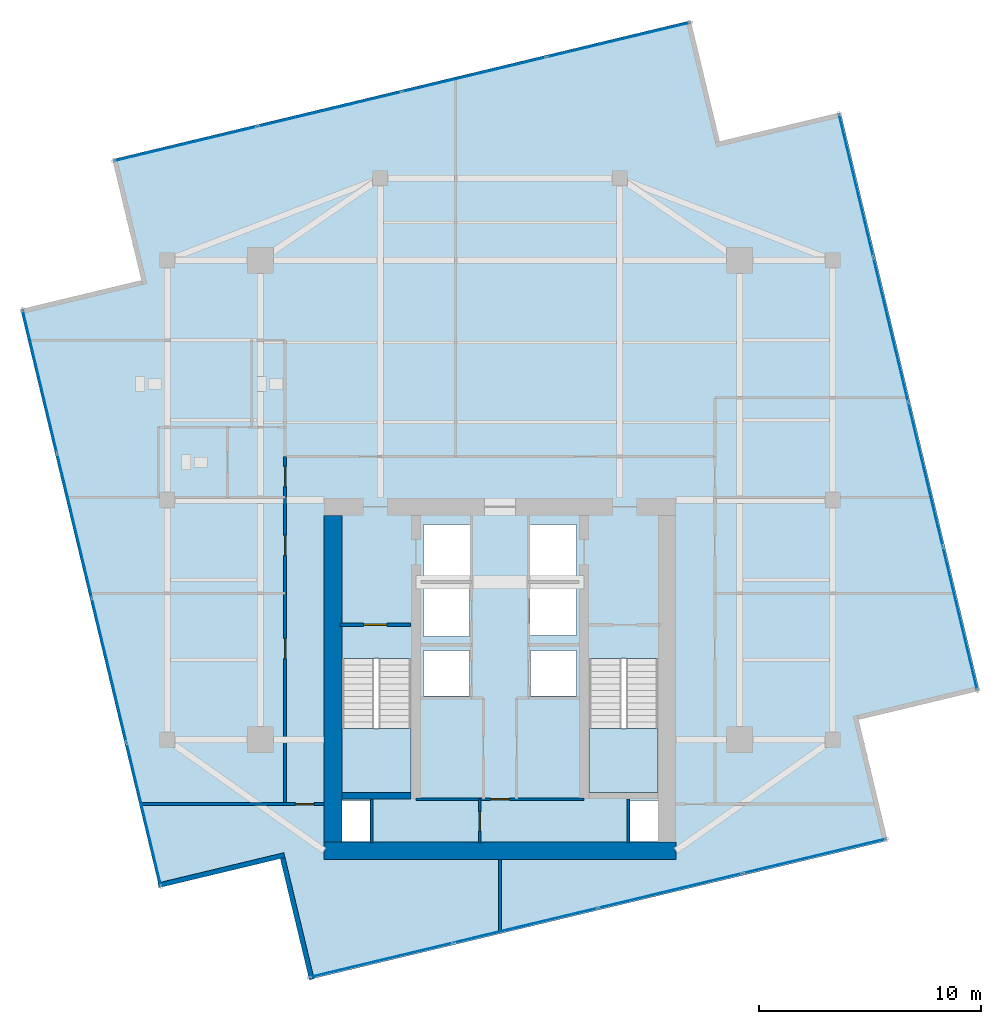
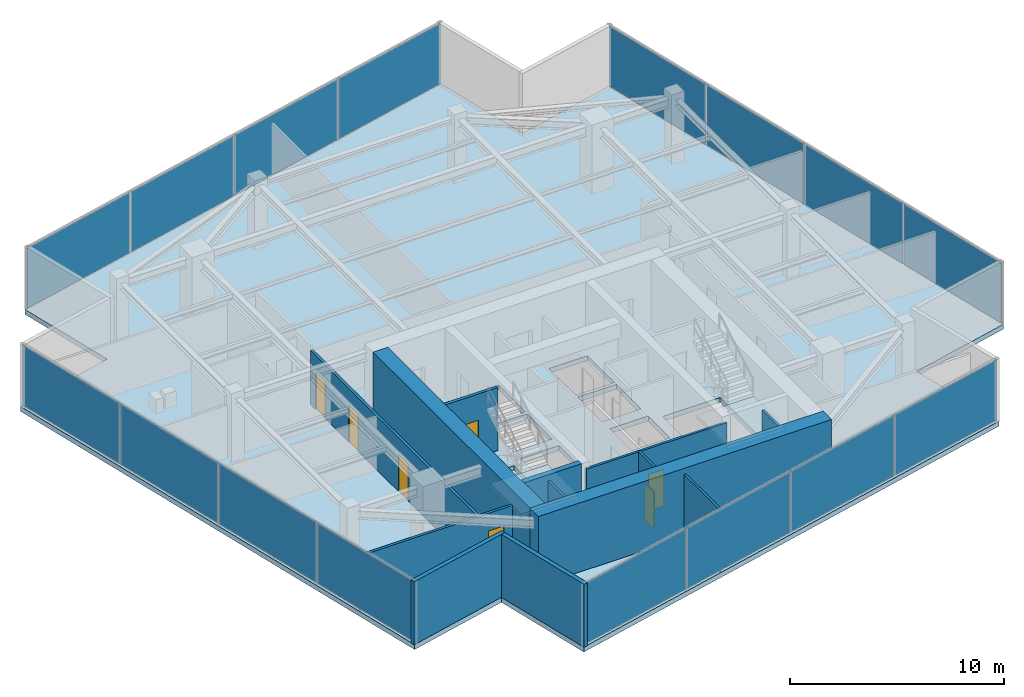
# One storey, part 18 of 22: 16 plates, 13 walls, 7 doors, 3 slabs, 7 openings, 6 elements without a shape of their own.
"""IFC4 building model written with IfcOpenShell, lengths in metres."""

from ifc_helpers import new_model, si_unit, direction, frame, frame_2d, origin, origin_2d, place, context, subcontext, project, spatial, polyline, rectangle, outline, extrude, source, transform, mapped, material, layer, layer_set, type_object, type_shapes, element, fill, aggregate, save


model = new_model("IFC4")

# Units and contexts
model_context = context("Model", 3, precision=1e-05, world=origin(), true_north=direction((0.0, 1.0)))
body_context = subcontext(model_context, "Body", "Model", "MODEL_VIEW")
ifc_project = project(units=[si_unit("LENGTHUNIT", "METRE"), si_unit("AREAUNIT", "SQUARE_METRE"), si_unit("VOLUMEUNIT", "CUBIC_METRE"), si_unit("PLANEANGLEUNIT", "RADIAN"), si_unit("MASSUNIT", "GRAM", prefix="KILO")], contexts=[model_context])

# Site, building, storey
site_placement = place(None, origin())
site = spatial("IfcSite", under=ifc_project, at=site_placement, CompositionType="ELEMENT")
building_placement = place(site_placement, origin())
building = spatial("IfcBuilding", under=site, at=building_placement, Name="Krantzveldt Concourse Tower", CompositionType="ELEMENT")
storey_placement = place(building_placement, frame((0.0, 0.0, 359.300048828125)))
storey = spatial("IfcBuildingStorey", under=building, at=storey_placement, Name="L88", CompositionType="ELEMENT", Elevation=359.300048828125)

# Stair, slab
ifc_material_1 = material(Name="Precast concrete C40/50", Category="concrete")
stair_type = type_object("IfcStairType", Name="STR-CORE-DOGLEG", PredefinedType="HALF_TURN_STAIR", material=ifc_material_1)
stair_1_placement = place(storey_placement, origin())
stair_1 = element("IfcStair", 1, at=stair_1_placement, inside=storey, type_object=stair_type, Name="L88 Protected Escape Stair ST-1", PredefinedType="HALF_TURN_STAIR")
ifc_layer_1 = layer(ifc_material_1, 0.199951171875, Name="Precast concrete C40/50", Category="concrete")
ifc_layer_set_1 = layer_set([ifc_layer_1], Name="Precast concrete C40/50 (SL-LANDING-200)")
slab_type_1 = type_object("IfcSlabType", Name="SL-LANDING-200", PredefinedType="LANDING", material=ifc_layer_set_1)
slab_1_placement = place(storey_placement, frame((0.0, 0.0, 1.77490234375)))
slab_1 = element("IfcSlab", 2, at=slab_1_placement, type_object=slab_type_1, Name="ST-1 landing 1", PredefinedType="LANDING", context=body_context, shape_type="SweptSolid", body=[
    extrude(outline(polyline([(28.8798828125, 16.4150390625), (28.8798828125, 13.52001953125), (31.97998046875, 13.52001953125), (31.97998046875, 16.4150390625), (28.8798828125, 16.4150390625)])), origin(), (0.0, 0.0, 1.0), 0.199951171875),
])
aggregate(stair_1, [slab_1])

stair_2_placement = place(storey_placement, origin())
stair_2 = element("IfcStair", 3, at=stair_2_placement, inside=storey, type_object=stair_type, Name="L88 Protected Escape Stair ST-2", PredefinedType="HALF_TURN_STAIR")
slab_2_placement = place(storey_placement, frame((0.0, 0.0, 1.77490234375)))
slab_2 = element("IfcSlab", 4, at=slab_2_placement, type_object=slab_type_1, Name="ST-2 landing 1", PredefinedType="LANDING", context=body_context, shape_type="SweptSolid", body=[
    extrude(outline(polyline([(40.02001953125, 16.4150390625), (40.02001953125, 13.52001953125), (43.1201171875, 13.52001953125), (43.1201171875, 16.4150390625), (40.02001953125, 16.4150390625)])), origin(), (0.0, 0.0, 1.0), 0.199951171875),
])
aggregate(stair_2, [slab_2])

# Slab
ifc_material_2 = material(Name="Concrete C40/50", Category="concrete")
ifc_layer_2 = layer(ifc_material_2, 0.280029296875, Name="Concrete C40/50", Category="concrete")
ifc_layer_set_2 = layer_set([ifc_layer_2], Name="Concrete C40/50 (SL-SL-TWR280)")
slab_type_2 = type_object("IfcSlabType", Name="SL-SL-TWR280", PredefinedType="FLOOR", material=ifc_layer_set_2)
slab_3_placement = place(storey_placement, frame((0.0, 0.0, -0.280029296875)))
element("IfcSlab", 5, at=slab_3_placement, inside=storey, type_object=slab_type_2, Name="SL-L88-MAIN", PredefinedType="FLOOR", context=body_context, shape_type="SweptSolid", body=[
    extrude(outline(polyline([(45.901611328125, 42.85791015625), (44.59423828125, 48.30322265625), (18.53466796875, 42.046875), (19.842041015625, 36.6015625), (14.396728515625, 35.294189453125), (20.653076171875, 9.23486328125), (26.098388671875, 10.5419921875), (27.40576171875, 5.0966796875), (53.46533203125, 11.35302734375), (52.157958984375, 16.79833984375), (57.603271484375, 18.105712890625), (51.346923828125, 44.165283203125), (45.901611328125, 42.85791015625)]), holes=[polyline([(28.8798828125, 19.547607421875), (28.8798828125, 13.52001953125), (31.97998046875, 13.52001953125), (31.97998046875, 19.547607421875), (28.8798828125, 19.547607421875)]), polyline([(40.02001953125, 19.547607421875), (40.02001953125, 13.52001953125), (43.1201171875, 13.52001953125), (43.1201171875, 19.547607421875), (40.02001953125, 19.547607421875)]), polyline([(32.550048828125, 23.10009765625), (34.64990234375, 23.10009765625), (34.64990234375, 25.60009765625), (32.550048828125, 25.60009765625), (32.550048828125, 23.10009765625)]), polyline([(37.35009765625, 23.10009765625), (39.449951171875, 23.10009765625), (39.449951171875, 25.60009765625), (37.35009765625, 25.60009765625), (37.35009765625, 23.10009765625)]), polyline([(37.35009765625, 20.60009765625), (39.449951171875, 20.60009765625), (39.449951171875, 22.89990234375), (37.35009765625, 22.89990234375), (37.35009765625, 20.60009765625)]), polyline([(32.550048828125, 20.550048828125), (34.6201171875, 20.550048828125), (34.6201171875, 22.89990234375), (32.550048828125, 22.89990234375), (32.550048828125, 20.550048828125)]), polyline([(32.550048828125, 17.8798828125), (34.6201171875, 17.8798828125), (34.6201171875, 19.919921875), (32.550048828125, 19.919921875), (32.550048828125, 17.8798828125)]), polyline([(37.3798828125, 17.8798828125), (39.449951171875, 17.8798828125), (39.449951171875, 19.919921875), (37.3798828125, 19.919921875), (37.3798828125, 17.8798828125)]), polyline([(28.8798828125, 11.320068359375), (30.139892578125, 11.320068359375), (30.139892578125, 13.159912109375), (28.8798828125, 13.159912109375), (28.8798828125, 11.320068359375)]), polyline([(41.860107421875, 11.320068359375), (43.1201171875, 11.320068359375), (43.1201171875, 13.159912109375), (41.860107421875, 13.159912109375), (41.860107421875, 11.320068359375)])]), origin(), (0.0, 0.0, 1.0), 0.280029296875),
])

# Curtain wall, plates
ifc_material_3 = material(Name="Anodised aluminium 6063-T6", Category="aluminium")
curtain_wall_type = type_object("IfcCurtainWallType", Name="CW4", PredefinedType="USERDEFINED", material=ifc_material_3)
curtain_wall_1_placement = place(storey_placement, origin())
curtain_wall_1 = element("IfcCurtainWall", 6, at=curtain_wall_1_placement, inside=storey, type_object=curtain_wall_type, Name="CW-L88-F01", ObjectType="UNITISED CURTAIN WALL", PredefinedType="USERDEFINED")
ifc_material_4 = material(Name="Bronze-tinted laminated low-E IGU glass", Category="glass")
ifc_layer_3 = layer(ifc_material_4, 0.031982421875, Name="Bronze-tinted laminated low-E IGU glass", Category="glass")
ifc_layer_set_3 = layer_set([ifc_layer_3], Name="Bronze-tinted laminated low-E IGU glass (CW-GLZ-32)")
plate_type = type_object("IfcPlateType", Name="CW-GLZ-32", PredefinedType="CURTAIN_PANEL", material=ifc_layer_set_3)
shared_shape_1 = source(origin(), body_context, "Body", "SweptSolid", [
    extrude(rectangle(XDim=6.594970703125, YDim=0.031982421875, at=origin_2d()), origin(), (0.0, 0.0, 1.0), 3.4599609375),
])
plate_1_placement = place(storey_placement, frame((41.3408203125, 47.429443359375, 0.070068359375), z_axis=(0.0, 0.0, 1.0), x_axis=(-0.972369896884, -0.233445461796, 0.0)))
plate_1 = element("IfcPlate", 7, at=plate_1_placement, type_object=plate_type, Name="CW-Z56 panel 1.1", PredefinedType="CURTAIN_PANEL", context=body_context, shape_type="MappedRepresentation", body=[
    mapped(shared_shape_1, transform((0.0, 0.0, 0.0), x_axis=(1.0, 0.0, 0.0), y_axis=(0.0, 1.0, 0.0), z_axis=(0.0, 0.0, 1.0), scale=1.0)),
])
plate_2_placement = place(storey_placement, frame((21.830322265625, 42.745361328125, 0.070068359375), z_axis=(0.0, 0.0, 1.0), x_axis=(-0.972369896884, -0.233445461796, 0.0)))
plate_2 = element("IfcPlate", 8, at=plate_2_placement, type_object=plate_type, Name="CW-Z56 panel 4.1", PredefinedType="CURTAIN_PANEL", context=body_context, shape_type="MappedRepresentation", body=[
    mapped(shared_shape_1, transform((0.0, 0.0, 0.0), x_axis=(1.0, 0.0, 0.0), y_axis=(0.0, 1.0, 0.0), z_axis=(0.0, 0.0, 1.0), scale=1.0)),
])

curtain_wall_2_placement = place(storey_placement, origin())
curtain_wall_2 = element("IfcCurtainWall", 9, at=curtain_wall_2_placement, inside=storey, type_object=curtain_wall_type, Name="CW-L88-F04", ObjectType="UNITISED CURTAIN WALL", PredefinedType="USERDEFINED")
plate_3_placement = place(storey_placement, frame((15.2705078125, 32.040771484375, 0.070068359375), z_axis=(0.0, 0.0, 1.0), x_axis=(0.233445461796, -0.972369896884, 0.0)))
plate_3 = element("IfcPlate", 10, at=plate_3_placement, type_object=plate_type, Name="CW-Z56 panel 1.1", PredefinedType="CURTAIN_PANEL", context=body_context, shape_type="MappedRepresentation", body=[
    mapped(shared_shape_1, transform((0.0, 0.0, 0.0), x_axis=(1.0, 0.0, 0.0), y_axis=(0.0, 1.0, 0.0), z_axis=(0.0, 0.0, 1.0), scale=1.0)),
])
plate_4_placement = place(storey_placement, frame((19.95458984375, 12.5302734375, 0.070068359375), z_axis=(0.0, 0.0, 1.0), x_axis=(0.233445461796, -0.972369896884, 0.0)))
plate_4 = element("IfcPlate", 11, at=plate_4_placement, type_object=plate_type, Name="CW-Z56 panel 4.1", PredefinedType="CURTAIN_PANEL", context=body_context, shape_type="MappedRepresentation", body=[
    mapped(shared_shape_1, transform((0.0, 0.0, 0.0), x_axis=(1.0, 0.0, 0.0), y_axis=(0.0, 1.0, 0.0), z_axis=(0.0, 0.0, 1.0), scale=1.0)),
])

curtain_wall_3_placement = place(storey_placement, origin())
curtain_wall_3 = element("IfcCurtainWall", 12, at=curtain_wall_3_placement, inside=storey, type_object=curtain_wall_type, Name="CW-L88-F07", ObjectType="UNITISED CURTAIN WALL", PredefinedType="USERDEFINED")
plate_5_placement = place(storey_placement, frame((30.6591796875, 5.970458984375, 0.070068359375), z_axis=(0.0, 0.0, 1.0), x_axis=(0.972369896884, 0.233445461796, 0.0)))
plate_5 = element("IfcPlate", 13, at=plate_5_placement, type_object=plate_type, Name="CW-Z56 panel 1.1", PredefinedType="CURTAIN_PANEL", context=body_context, shape_type="MappedRepresentation", body=[
    mapped(shared_shape_1, transform((0.0, 0.0, 0.0), x_axis=(1.0, 0.0, 0.0), y_axis=(0.0, 1.0, 0.0), z_axis=(0.0, 0.0, 1.0), scale=1.0)),
])
plate_6_placement = place(storey_placement, frame((50.169677734375, 10.654541015625, 0.070068359375), z_axis=(0.0, 0.0, 1.0), x_axis=(0.972369896884, 0.233445461796, 0.0)))
plate_6 = element("IfcPlate", 14, at=plate_6_placement, type_object=plate_type, Name="CW-Z56 panel 4.1", PredefinedType="CURTAIN_PANEL", context=body_context, shape_type="MappedRepresentation", body=[
    mapped(shared_shape_1, transform((0.0, 0.0, 0.0), x_axis=(1.0, 0.0, 0.0), y_axis=(0.0, 1.0, 0.0), z_axis=(0.0, 0.0, 1.0), scale=1.0)),
])

curtain_wall_4_placement = place(storey_placement, origin())
curtain_wall_4 = element("IfcCurtainWall", 15, at=curtain_wall_4_placement, inside=storey, type_object=curtain_wall_type, Name="CW-L88-F10", ObjectType="UNITISED CURTAIN WALL", PredefinedType="USERDEFINED")
plate_7_placement = place(storey_placement, frame((56.7294921875, 21.359130859375, 0.070068359375), z_axis=(0.0, 0.0, 1.0), x_axis=(-0.233445461796, 0.972369896884, 0.0)))
plate_7 = element("IfcPlate", 16, at=plate_7_placement, type_object=plate_type, Name="CW-Z56 panel 1.1", PredefinedType="CURTAIN_PANEL", context=body_context, shape_type="MappedRepresentation", body=[
    mapped(shared_shape_1, transform((0.0, 0.0, 0.0), x_axis=(1.0, 0.0, 0.0), y_axis=(0.0, 1.0, 0.0), z_axis=(0.0, 0.0, 1.0), scale=1.0)),
])
plate_8_placement = place(storey_placement, frame((52.04541015625, 40.869873046875, 0.070068359375), z_axis=(0.0, 0.0, 1.0), x_axis=(-0.233445461796, 0.972369896884, 0.0)))
plate_8 = element("IfcPlate", 17, at=plate_8_placement, type_object=plate_type, Name="CW-Z56 panel 4.1", PredefinedType="CURTAIN_PANEL", context=body_context, shape_type="MappedRepresentation", body=[
    mapped(shared_shape_1, transform((0.0, 0.0, 0.0), x_axis=(1.0, 0.0, 0.0), y_axis=(0.0, 1.0, 0.0), z_axis=(0.0, 0.0, 1.0), scale=1.0)),
])

# Plate
shared_shape_2 = source(origin(), body_context, "Body", "SweptSolid", [
    extrude(rectangle(XDim=6.6298828125, YDim=0.031982421875, at=origin_2d()), origin(), (0.0, 0.0, 1.0), 3.4599609375),
])
type_shapes(plate_type, [shared_shape_1, shared_shape_2])
plate_9_placement = place(storey_placement, frame((34.843017578125, 45.86962890625, 0.070068359375), z_axis=(0.0, 0.0, 1.0), x_axis=(-0.972369896884, -0.233445461796, 0.0)))
plate_9 = element("IfcPlate", 18, at=plate_9_placement, type_object=plate_type, Name="CW-Z56 panel 2.1", PredefinedType="CURTAIN_PANEL", context=body_context, shape_type="MappedRepresentation", body=[
    mapped(shared_shape_2, transform((0.0, 0.0, 0.0), x_axis=(1.0, 0.0, 0.0), y_axis=(0.0, 1.0, 0.0), z_axis=(0.0, 0.0, 1.0), scale=1.0)),
])

plate_10_placement = place(storey_placement, frame((28.328125, 44.305419921875, 0.070068359375), z_axis=(0.0, 0.0, 1.0), x_axis=(-0.972369896884, -0.233445461796, 0.0)))
plate_10 = element("IfcPlate", 19, at=plate_10_placement, type_object=plate_type, Name="CW-Z56 panel 3.1", PredefinedType="CURTAIN_PANEL", context=body_context, shape_type="MappedRepresentation", body=[
    mapped(shared_shape_2, transform((0.0, 0.0, 0.0), x_axis=(1.0, 0.0, 0.0), y_axis=(0.0, 1.0, 0.0), z_axis=(0.0, 0.0, 1.0), scale=1.0)),
])

aggregate(curtain_wall_1, [plate_1, plate_9, plate_10, plate_2])

plate_11_placement = place(storey_placement, frame((16.830322265625, 25.54296875, 0.070068359375), z_axis=(0.0, 0.0, 1.0), x_axis=(0.233445461796, -0.972369896884, 0.0)))
plate_11 = element("IfcPlate", 20, at=plate_11_placement, type_object=plate_type, Name="CW-Z56 panel 2.1", PredefinedType="CURTAIN_PANEL", context=body_context, shape_type="MappedRepresentation", body=[
    mapped(shared_shape_2, transform((0.0, 0.0, 0.0), x_axis=(1.0, 0.0, 0.0), y_axis=(0.0, 1.0, 0.0), z_axis=(0.0, 0.0, 1.0), scale=1.0)),
])

plate_12_placement = place(storey_placement, frame((18.39453125, 19.028076171875, 0.070068359375), z_axis=(0.0, 0.0, 1.0), x_axis=(0.233445461796, -0.972369896884, 0.0)))
plate_12 = element("IfcPlate", 21, at=plate_12_placement, type_object=plate_type, Name="CW-Z56 panel 3.1", PredefinedType="CURTAIN_PANEL", context=body_context, shape_type="MappedRepresentation", body=[
    mapped(shared_shape_2, transform((0.0, 0.0, 0.0), x_axis=(1.0, 0.0, 0.0), y_axis=(0.0, 1.0, 0.0), z_axis=(0.0, 0.0, 1.0), scale=1.0)),
])

aggregate(curtain_wall_2, [plate_3, plate_11, plate_12, plate_4])

plate_13_placement = place(storey_placement, frame((37.156982421875, 7.530517578125, 0.070068359375), z_axis=(0.0, 0.0, 1.0), x_axis=(0.972369896884, 0.233445461796, 0.0)))
plate_13 = element("IfcPlate", 22, at=plate_13_placement, type_object=plate_type, Name="CW-Z56 panel 2.1", PredefinedType="CURTAIN_PANEL", context=body_context, shape_type="MappedRepresentation", body=[
    mapped(shared_shape_2, transform((0.0, 0.0, 0.0), x_axis=(1.0, 0.0, 0.0), y_axis=(0.0, 1.0, 0.0), z_axis=(0.0, 0.0, 1.0), scale=1.0)),
])

plate_14_placement = place(storey_placement, frame((43.671875, 9.094482421875, 0.070068359375), z_axis=(0.0, 0.0, 1.0), x_axis=(0.972369896884, 0.233445461796, 0.0)))
plate_14 = element("IfcPlate", 23, at=plate_14_placement, type_object=plate_type, Name="CW-Z56 panel 3.1", PredefinedType="CURTAIN_PANEL", context=body_context, shape_type="MappedRepresentation", body=[
    mapped(shared_shape_2, transform((0.0, 0.0, 0.0), x_axis=(1.0, 0.0, 0.0), y_axis=(0.0, 1.0, 0.0), z_axis=(0.0, 0.0, 1.0), scale=1.0)),
])

aggregate(curtain_wall_3, [plate_5, plate_13, plate_14, plate_6])

plate_15_placement = place(storey_placement, frame((55.169677734375, 27.85693359375, 0.070068359375), z_axis=(0.0, 0.0, 1.0), x_axis=(-0.233445461796, 0.972369896884, 0.0)))
plate_15 = element("IfcPlate", 24, at=plate_15_placement, type_object=plate_type, Name="CW-Z56 panel 2.1", PredefinedType="CURTAIN_PANEL", context=body_context, shape_type="MappedRepresentation", body=[
    mapped(shared_shape_2, transform((0.0, 0.0, 0.0), x_axis=(1.0, 0.0, 0.0), y_axis=(0.0, 1.0, 0.0), z_axis=(0.0, 0.0, 1.0), scale=1.0)),
])

plate_16_placement = place(storey_placement, frame((53.60546875, 34.371826171875, 0.070068359375), z_axis=(0.0, 0.0, 1.0), x_axis=(-0.233445461796, 0.972369896884, 0.0)))
plate_16 = element("IfcPlate", 25, at=plate_16_placement, type_object=plate_type, Name="CW-Z56 panel 3.1", PredefinedType="CURTAIN_PANEL", context=body_context, shape_type="MappedRepresentation", body=[
    mapped(shared_shape_2, transform((0.0, 0.0, 0.0), x_axis=(1.0, 0.0, 0.0), y_axis=(0.0, 1.0, 0.0), z_axis=(0.0, 0.0, 1.0), scale=1.0)),
])

aggregate(curtain_wall_4, [plate_7, plate_15, plate_16, plate_8])

# Walls
ifc_layer_4 = layer(ifc_material_3, 0.219970703125, Name="Anodised aluminium 6063-T6", Category="aluminium")
ifc_layer_set_4 = layer_set([ifc_layer_4], Name="Anodised aluminium 6063-T6 (WL-EXT-NOTCH220)")
wall_type_1 = type_object("IfcWallType", Name="WL-EXT-NOTCH220", PredefinedType="ELEMENTEDWALL", material=ifc_layer_set_4)
wall_1_placement = place(storey_placement, frame((20.603271484375, 9.3359375, 0.0), z_axis=(0.0, 0.0, 1.0), x_axis=(0.972367961768, 0.233453521986, 0.0)))
element("IfcWall", 26, at=wall_1_placement, inside=storey, type_object=wall_type_1, Name="EW-L88-NCH05", PredefinedType="ELEMENTEDWALL", context=body_context, shape_type="SweptSolid", body=[
    extrude(rectangle(XDim=5.844970703125, YDim=0.219970703125, at=frame_2d((2.92236328125, 0.0))), origin(), (0.0, 0.0, 1.0), 3.599853515625),
])
wall_2_placement = place(storey_placement, frame((26.205322265625, 10.56787109375, 0.0), z_axis=(0.0, 0.0, 1.0), x_axis=(0.233456668573, -0.972367206306, 0.0)))
element("IfcWall", 27, at=wall_2_placement, inside=storey, type_object=wall_type_1, Name="EW-L88-NCH06", PredefinedType="ELEMENTEDWALL", context=body_context, shape_type="SweptSolid", body=[
    extrude(rectangle(XDim=5.625244140625, YDim=0.219970703125, at=frame_2d((2.8125, 0.0))), origin(), (0.0, 0.0, 1.0), 3.599853515625),
])

# Wall, opening, door
ifc_material_5 = material(Name="Fire-rated gypsum plasterboard on steel stud", Category="steel")
ifc_layer_5 = layer(ifc_material_5, 0.1201171875, Name="Fire-rated gypsum plasterboard on steel stud", Category="steel")
ifc_layer_set_5 = layer_set([ifc_layer_5], Name="Fire-rated gypsum plasterboard on steel stud (WL-PART-120)")
wall_type_2 = type_object("IfcWallType", Name="WL-PART-120", PredefinedType="PARTITIONING", material=ifc_layer_set_5)
wall_3_placement = place(storey_placement, frame((32.2099609375, 13.219970703125, 0.0), z_axis=(0.0, 0.0, 1.0), x_axis=(1.0, 0.0, 0.0)))
wall_3 = element("IfcWall", 28, at=wall_3_placement, inside=storey, type_object=wall_type_2, Name="WP-L88-CS2H", PredefinedType="PARTITIONING", context=body_context, shape_type="SweptSolid", body=[
    extrude(rectangle(XDim=7.580078125, YDim=0.1201171875, at=frame_2d((3.7900390625, 0.0))), origin(), (0.0, 0.0, 1.0), 3.599853515625),
])
opening_1_placement = place(wall_3_placement, frame((3.364990234375, 0.0, 0.0)))
opening_1 = element("IfcOpeningElement", 29, at=opening_1_placement, cuts=wall_3, Name="Opening D-IN085", PredefinedType="OPENING", context=body_context, shape_type="SweptSolid", body=[
    extrude(rectangle(XDim=0.85009765625, YDim=2.10009765625, at=frame_2d((0.425048828125, 1.050048828125))), frame((0.0, 0.070068359375, 0.0), z_axis=(0.0, -1.0, 0.0), x_axis=(1.0, 0.0, 0.0)), (0.0, 0.0, 1.0), 0.14013671875),
])
ifc_material_6 = material(Name="Hardwood timber", Category="wood")
door_type_1 = type_object("IfcDoorType", Name="DR-INT-850", OperationType="SINGLE_SWING_LEFT", PredefinedType="DOOR", material=ifc_material_6)
door_1_placement = place(opening_1_placement, origin())
door_1 = element("IfcDoor", 30, at=door_1_placement, inside=storey, type_object=door_type_1, Name="DR-L88-LLBS", OperationType="SINGLE_SWING_RIGHT", OverallHeight=2.10009765625, OverallWidth=0.85009765625, PredefinedType="DOOR", context=body_context, shape_type="SweptSolid", body=[
    extrude(rectangle(XDim=0.85009765625, YDim=2.10009765625, at=frame_2d((0.425048828125, 1.050048828125))), frame((0.0, 0.02490234375, 0.0), z_axis=(0.0, -1.0, 0.0), x_axis=(1.0, 0.0, 0.0)), (0.0, 0.0, 1.0), 0.050048828125),
])
fill(opening_1, door_1)

wall_4_placement = place(storey_placement, frame((35.080078125, 11.25, 0.0), z_axis=(0.0, 0.0, 1.0), x_axis=(0.0, 1.0, 0.0)))
wall_4 = element("IfcWall", 31, at=wall_4_placement, inside=storey, type_object=wall_type_2, Name="WP-L88-CSA-V", PredefinedType="PARTITIONING", context=body_context, shape_type="SweptSolid", body=[
    extrude(rectangle(XDim=1.969970703125, YDim=0.1201171875, at=frame_2d((0.98486328125, 0.0))), origin(), (0.0, 0.0, 1.0), 3.599853515625),
])
opening_2_placement = place(wall_4_placement, frame((0.544921875, 0.0, 0.0)))
opening_2 = element("IfcOpeningElement", 32, at=opening_2_placement, cuts=wall_4, Name="Opening D-IN085", PredefinedType="OPENING", context=body_context, shape_type="SweptSolid", body=[
    extrude(rectangle(XDim=0.85009765625, YDim=2.10009765625, at=frame_2d((0.425048828125, 1.050048828125))), frame((0.0, 0.070068359375, 0.0), z_axis=(0.0, -1.0, 0.0), x_axis=(1.0, 0.0, 0.0)), (0.0, 0.0, 1.0), 0.14013671875),
])
door_2_placement = place(opening_2_placement, origin())
door_2 = element("IfcDoor", 33, at=door_2_placement, inside=storey, type_object=door_type_1, Name="DR-L88-CSA1", OperationType="SINGLE_SWING_LEFT", OverallHeight=2.10009765625, OverallWidth=0.85009765625, PredefinedType="DOOR", context=body_context, shape_type="SweptSolid", body=[
    extrude(rectangle(XDim=0.85009765625, YDim=2.10009765625, at=frame_2d((0.425048828125, 1.050048828125))), frame((0.0, 0.02490234375, 0.0), z_axis=(0.0, -1.0, 0.0), x_axis=(1.0, 0.0, 0.0)), (0.0, 0.0, 1.0), 0.050048828125),
])
fill(opening_2, door_2)

# Wall
wall_5_placement = place(storey_placement, frame((36.0, 7.252685546875, 0.0), z_axis=(0.0, 0.0, 1.0), x_axis=(0.0, 1.0, 0.0)))
element("IfcWall", 34, at=wall_5_placement, inside=storey, type_object=wall_type_2, Name="WP-L88-SSMD", PredefinedType="PARTITIONING", context=body_context, shape_type="SweptSolid", body=[
    extrude(rectangle(XDim=3.247314453125, YDim=0.1201171875, at=frame_2d((1.62353515625, 0.0))), origin(), (0.0, 0.0, 1.0), 3.599853515625),
])

# Wall, openings, doors
ifc_layer_6 = layer(ifc_material_5, 0.139892578125, Name="Fire-rated gypsum plasterboard on steel stud", Category="steel")
ifc_layer_set_6 = layer_set([ifc_layer_6], Name="Fire-rated gypsum plasterboard on steel stud (WL-PART-140)")
wall_type_3 = type_object("IfcWallType", Name="WL-PART-140", PredefinedType="PARTITIONING", material=ifc_layer_set_6)
wall_6_placement = place(storey_placement, frame((26.320068359375, 13.0, 0.0), z_axis=(0.0, 0.0, 1.0), x_axis=(0.0, 1.0, 0.0)))
wall_6 = element("IfcWall", 35, at=wall_6_placement, inside=storey, type_object=wall_type_3, Name="WP-L88-CWEST", PredefinedType="PARTITIONING", context=body_context, shape_type="SweptSolid", body=[
    extrude(rectangle(XDim=15.659912109375, YDim=0.139892578125, at=frame_2d((7.830078125, 0.0))), origin(), (0.0, 0.0, 1.0), 3.06005859375),
])
opening_3_placement = place(wall_6_placement, frame((14.300048828125, 0.0, 0.0)))
opening_3 = element("IfcOpeningElement", 36, at=opening_3_placement, cuts=wall_6, Name="Opening D-IN090", PredefinedType="OPENING", context=body_context, shape_type="SweptSolid", body=[
    extrude(rectangle(XDim=0.89990234375, YDim=2.10009765625, at=frame_2d((0.449951171875, 1.050048828125))), frame((0.0, 0.080078125, 0.0), z_axis=(0.0, -1.0, 0.0), x_axis=(1.0, 0.0, 0.0)), (0.0, 0.0, 1.0), 0.159912109375),
])
opening_4_placement = place(wall_6_placement, frame((6.550048828125, 0.0, 0.0)))
opening_4 = element("IfcOpeningElement", 37, at=opening_4_placement, cuts=wall_6, Name="Opening D-IN090", PredefinedType="OPENING", context=body_context, shape_type="SweptSolid", body=[
    extrude(rectangle(XDim=0.89990234375, YDim=2.10009765625, at=frame_2d((0.449951171875, 1.050048828125))), frame((0.0, 0.080078125, 0.0), z_axis=(0.0, -1.0, 0.0), x_axis=(1.0, 0.0, 0.0)), (0.0, 0.0, 1.0), 0.159912109375),
])
opening_5_placement = place(wall_6_placement, frame((11.2099609375, 0.0, 0.0)))
opening_5 = element("IfcOpeningElement", 38, at=opening_5_placement, cuts=wall_6, Name="Opening D-IN090", PredefinedType="OPENING", context=body_context, shape_type="SweptSolid", body=[
    extrude(rectangle(XDim=0.89990234375, YDim=2.10009765625, at=frame_2d((0.449951171875, 1.050048828125))), frame((0.0, 0.080078125, 0.0), z_axis=(0.0, -1.0, 0.0), x_axis=(1.0, 0.0, 0.0)), (0.0, 0.0, 1.0), 0.159912109375),
])
door_type_2 = type_object("IfcDoorType", Name="DR-INT-900", OperationType="SINGLE_SWING_LEFT", PredefinedType="DOOR", material=ifc_material_6)
door_3_placement = place(opening_3_placement, origin())
door_3 = element("IfcDoor", 39, at=door_3_placement, inside=storey, type_object=door_type_2, Name="DR-L88-WCV", OperationType="SINGLE_SWING_LEFT", OverallHeight=2.10009765625, OverallWidth=0.89990234375, PredefinedType="DOOR", context=body_context, shape_type="SweptSolid", body=[
    extrude(rectangle(XDim=0.89990234375, YDim=2.10009765625, at=frame_2d((0.449951171875, 1.050048828125))), frame((0.0, 0.02490234375, 0.0), z_axis=(0.0, -1.0, 0.0), x_axis=(1.0, 0.0, 0.0)), (0.0, 0.0, 1.0), 0.050048828125),
])
fill(opening_3, door_3)
door_4_placement = place(opening_4_placement, origin())
door_4 = element("IfcDoor", 40, at=door_4_placement, inside=storey, type_object=door_type_2, Name="DR-L88-WR1", OperationType="SINGLE_SWING_LEFT", OverallHeight=2.10009765625, OverallWidth=0.89990234375, PredefinedType="DOOR", context=body_context, shape_type="SweptSolid", body=[
    extrude(rectangle(XDim=0.89990234375, YDim=2.10009765625, at=frame_2d((0.449951171875, 1.050048828125))), frame((0.0, 0.02490234375, 0.0), z_axis=(0.0, -1.0, 0.0), x_axis=(1.0, 0.0, 0.0)), (0.0, 0.0, 1.0), 0.050048828125),
])
fill(opening_4, door_4)
door_5_placement = place(opening_5_placement, origin())
door_5 = element("IfcDoor", 41, at=door_5_placement, inside=storey, type_object=door_type_2, Name="DR-L88-WR2", OperationType="SINGLE_SWING_LEFT", OverallHeight=2.10009765625, OverallWidth=0.89990234375, PredefinedType="DOOR", context=body_context, shape_type="SweptSolid", body=[
    extrude(rectangle(XDim=0.89990234375, YDim=2.10009765625, at=frame_2d((0.449951171875, 1.050048828125))), frame((0.0, 0.02490234375, 0.0), z_axis=(0.0, -1.0, 0.0), x_axis=(1.0, 0.0, 0.0)), (0.0, 0.0, 1.0), 0.050048828125),
])
fill(opening_5, door_5)

# Wall, opening, door
wall_7_placement = place(storey_placement, frame((19.841796875, 13.0, 0.0), z_axis=(0.0, 0.0, 1.0), x_axis=(1.0, 0.0, 0.0)))
wall_7 = element("IfcWall", 42, at=wall_7_placement, inside=storey, type_object=wall_type_3, Name="WP-L88-CSBOTW", PredefinedType="PARTITIONING", context=body_context, shape_type="SweptSolid", body=[
    extrude(rectangle(XDim=8.23828125, YDim=0.139892578125, at=frame_2d((4.119140625, 0.0))), origin(), (0.0, 0.0, 1.0), 3.10986328125),
])
opening_6_placement = place(wall_7_placement, frame((6.933349609375, 0.0, 0.0)))
opening_6 = element("IfcOpeningElement", 43, at=opening_6_placement, cuts=wall_7, Name="Opening D-IN085", PredefinedType="OPENING", context=body_context, shape_type="SweptSolid", body=[
    extrude(rectangle(XDim=0.85009765625, YDim=2.10009765625, at=frame_2d((0.425048828125, 1.050048828125))), frame((0.0, 0.080078125, 0.0), z_axis=(0.0, -1.0, 0.0), x_axis=(1.0, 0.0, 0.0)), (0.0, 0.0, 1.0), 0.159912109375),
])
door_6_placement = place(opening_6_placement, origin())
door_6 = element("IfcDoor", 44, at=door_6_placement, inside=storey, type_object=door_type_1, Name="DR-L88-SR1", OperationType="SINGLE_SWING_LEFT", OverallHeight=2.10009765625, OverallWidth=0.85009765625, PredefinedType="DOOR", context=body_context, shape_type="SweptSolid", body=[
    extrude(rectangle(XDim=0.85009765625, YDim=2.10009765625, at=frame_2d((0.425048828125, 1.050048828125))), frame((0.0, 0.02490234375, 0.0), z_axis=(0.0, -1.0, 0.0), x_axis=(1.0, 0.0, 0.0)), (0.0, 0.0, 1.0), 0.050048828125),
])
fill(opening_6, door_6)

# Walls
ifc_layer_7 = layer(ifc_material_5, 0.139892578125, Name="Fire-rated gypsum plasterboard on steel stud", Category="steel")
ifc_layer_set_7 = layer_set([ifc_layer_7], Name="Fire-rated gypsum plasterboard on steel stud (WL-PART-FR140)")
wall_type_4 = type_object("IfcWallType", Name="WL-PART-FR140", PredefinedType="PARTITIONING", material=ifc_layer_set_7)
for number, where, z_axis, x_axis, name in (
    (45, (30.219970703125, 11.25, 0.0), (0.0, 0.0, 1.0), (0.0, 1.0, 0.0), "WP-L88-RSW"),
    (46, (41.780029296875, 11.25, 0.0), (0.0, 0.0, 1.0), (0.0, 1.0, 0.0), "WP-L88-RSE"),
):
    element("IfcWall", number, at=place(storey_placement, frame(where, z_axis=z_axis, x_axis=x_axis)), inside=storey, type_object=wall_type_4, Name=name, PredefinedType="PARTITIONING", context=body_context, shape_type="SweptSolid", body=[
        extrude(rectangle(XDim=1.969970703125, YDim=0.1201171875, at=frame_2d((0.98486328125, 0.0))), origin(), (0.0, 0.0, 1.0), 3.599853515625),
    ])

# Wall, opening, door
ifc_layer_8 = layer(ifc_material_5, 0.159912109375, Name="Fire-rated gypsum plasterboard on steel stud", Category="steel")
ifc_layer_set_8 = layer_set([ifc_layer_8], Name="Fire-rated gypsum plasterboard on steel stud (WL-PART-FR160)")
wall_type_5 = type_object("IfcWallType", Name="WL-PART-FR160", PredefinedType="PARTITIONING", material=ifc_layer_set_8)
wall_8_placement = place(storey_placement, frame((28.800048828125, 21.080078125, 0.0), z_axis=(0.0, 0.0, 1.0), x_axis=(1.0, 0.0, 0.0)))
wall_8 = element("IfcWall", 47, at=wall_8_placement, inside=storey, type_object=wall_type_5, Name="WP-L88-ST1", PredefinedType="PARTITIONING", context=body_context, shape_type="SweptSolid", body=[
    extrude(rectangle(XDim=3.159912109375, YDim=0.159912109375, at=frame_2d((1.580078125, 0.0))), origin(), (0.0, 0.0, 1.0), 3.599853515625),
])
opening_7_placement = place(wall_8_placement, frame((1.054931640625, 0.0, 0.0)))
opening_7 = element("IfcOpeningElement", 48, at=opening_7_placement, cuts=wall_8, Name="Opening D-FD105", PredefinedType="OPENING", context=body_context, shape_type="SweptSolid", body=[
    extrude(rectangle(XDim=1.050048828125, YDim=2.10009765625, at=frame_2d((0.52490234375, 1.050048828125))), frame((0.0, 0.08984375, 0.0), z_axis=(0.0, -1.0, 0.0), x_axis=(1.0, 0.0, 0.0)), (0.0, 0.0, 1.0), 0.179931640625),
])
ifc_material_7 = material(Name="Galvanised steel", Category="steel")
door_type_3 = type_object("IfcDoorType", Name="DR-FD120-1050", OperationType="SINGLE_SWING_LEFT", PredefinedType="DOOR", material=ifc_material_7)
door_7_placement = place(opening_7_placement, origin())
door_7 = element("IfcDoor", 49, at=door_7_placement, inside=storey, type_object=door_type_3, Name="DR-L88-ST1", OperationType="SINGLE_SWING_RIGHT", OverallHeight=2.10009765625, OverallWidth=1.050048828125, PredefinedType="DOOR", context=body_context, shape_type="SweptSolid", body=[
    extrude(rectangle(XDim=1.050048828125, YDim=2.10009765625, at=frame_2d((0.52490234375, 1.050048828125))), frame((0.0, 0.02490234375, 0.0), z_axis=(0.0, -1.0, 0.0), x_axis=(1.0, 0.0, 0.0)), (0.0, 0.0, 1.0), 0.050048828125),
])
fill(opening_7, door_7)

# Walls
ifc_material_8 = material(Name="Concrete C50/60", Category="concrete")
ifc_layer_9 = layer(ifc_material_8, 0.300048828125, Name="Concrete C50/60", Category="concrete")
ifc_layer_set_9 = layer_set([ifc_layer_9], Name="Concrete C50/60 (WL-SHEAR-300)")
wall_type_6 = type_object("IfcWallType", Name="WL-SHEAR-300", PredefinedType="SHEAR", material=ifc_layer_set_9)
wall_9_placement = place(storey_placement, frame((28.8798828125, 13.3701171875, 0.0), z_axis=(0.0, 0.0, 1.0), x_axis=(1.0, 0.0, 0.0)))
element("IfcWall", 50, at=wall_9_placement, inside=storey, type_object=wall_type_6, Name="CW-L88-ST1S", PredefinedType="SHEAR", context=body_context, shape_type="SweptSolid", body=[
    extrude(rectangle(XDim=3.10009765625, YDim=0.300048828125, at=frame_2d((1.550048828125, 0.0))), origin(), (0.0, 0.0, 1.0), 3.949951171875),
])
ifc_material_9 = material(Name="Concrete C60/75", Category="concrete")
ifc_layer_10 = layer(ifc_material_9, 0.800048828125, Name="Concrete C60/75", Category="concrete")
ifc_layer_set_10 = layer_set([ifc_layer_10], Name="Concrete C60/75 (WL-SHEAR-800)")
wall_type_7 = type_object("IfcWallType", Name="WL-SHEAR-800", PredefinedType="SHEAR", material=ifc_layer_set_10)
wall_10_placement = place(storey_placement, frame((28.080078125, 10.89990234375, 0.0), z_axis=(0.0, 0.0, 1.0), x_axis=(1.0, 0.0, 0.0)))
element("IfcWall", 51, at=wall_10_placement, inside=storey, type_object=wall_type_7, Name="CW-L88-S", PredefinedType="SHEAR", context=body_context, shape_type="SweptSolid", body=[
    extrude(rectangle(XDim=15.83984375, YDim=0.800048828125, at=frame_2d((7.919921875, 0.0))), origin(), (0.0, 0.0, 1.0), 3.949951171875),
])
wall_11_placement = place(storey_placement, frame((28.47998046875, 11.300048828125, 0.0), z_axis=(0.0, 0.0, 1.0), x_axis=(0.0, 1.0, 0.0)))
element("IfcWall", 52, at=wall_11_placement, inside=storey, type_object=wall_type_7, Name="CW-L88-W", PredefinedType="SHEAR", context=body_context, shape_type="SweptSolid", body=[
    extrude(rectangle(XDim=14.699951171875, YDim=0.800048828125, at=frame_2d((7.35009765625, 0.0))), origin(), (0.0, 0.0, 1.0), 3.949951171875),
])

save(model, "model.ifc")
